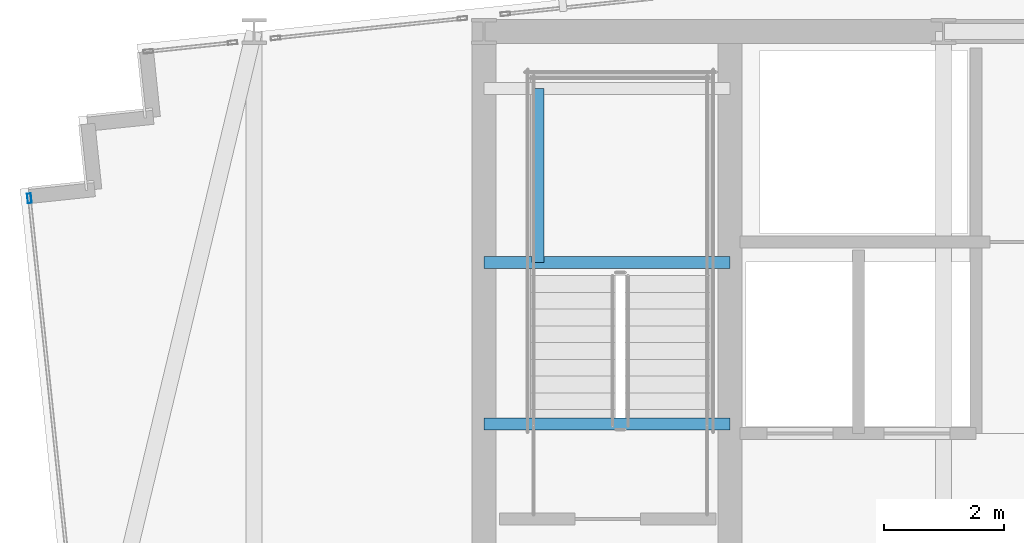
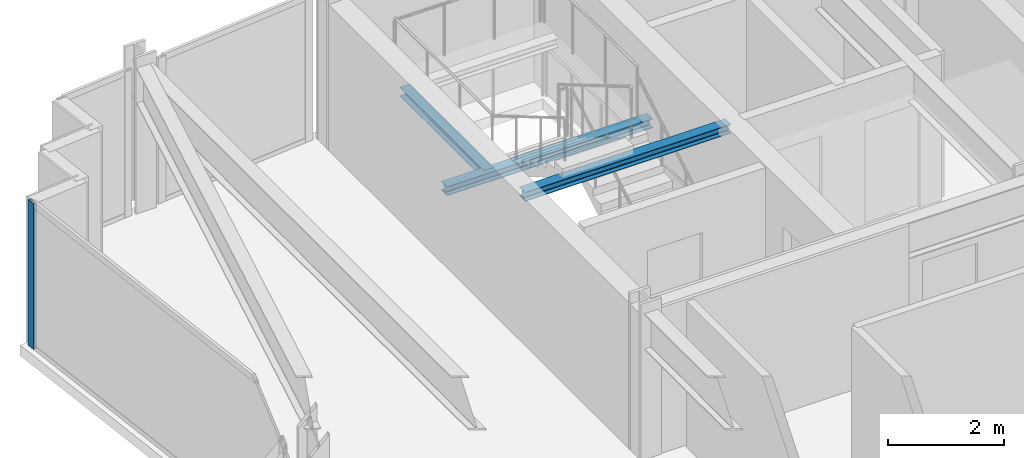
# One storey, part 12 of 32: 3 beams, 1 member, 1 element without a shape of its own.
"""IFC4 building model written with IfcOpenShell, lengths in metres."""

from ifc_helpers import new_model, si_unit, direction, frame, origin, origin_2d, place, context, subcontext, project, spatial, hollow_rectangle, i_section, extrude, material, material_profile, profile_set, type_object, element, aggregate, save


model = new_model("IFC4")

# Units and contexts
model_context = context("Model", 3, precision=1e-05, world=origin(), true_north=direction((0.0, 1.0)))
body_context = subcontext(model_context, "Body", "Model", "MODEL_VIEW")
ifc_project = project(units=[si_unit("LENGTHUNIT", "METRE"), si_unit("AREAUNIT", "SQUARE_METRE"), si_unit("VOLUMEUNIT", "CUBIC_METRE"), si_unit("PLANEANGLEUNIT", "RADIAN"), si_unit("MASSUNIT", "GRAM", prefix="KILO")], contexts=[model_context])

# Site, building, storey
site_placement = place(None, origin())
site = spatial("IfcSite", under=ifc_project, at=site_placement, CompositionType="ELEMENT")
building_placement = place(site_placement, origin())
building = spatial("IfcBuilding", under=site, at=building_placement, Name="Yelkora Congress Tower", CompositionType="ELEMENT")
storey_placement = place(building_placement, frame((0.0, 0.0, 211.10009765625)))
storey = spatial("IfcBuildingStorey", under=building, at=storey_placement, Name="L58", CompositionType="ELEMENT", Elevation=211.10009765625)

# Beams
ifc_material_1 = material(Name="Steel S355J2", Category="steel")
ifc_material_profile_1 = material_profile(ifc_material_1, i_section(OverallWidth=0.199951171875, OverallDepth=0.18994140625, WebThickness=0.006591796875, FlangeThickness=0.010009765625, FilletRadius=0.01806640625, at=origin_2d()), Name="HEA 200")
ifc_profile_set_1 = profile_set([ifc_material_profile_1], Name="Steel S355J2")
beam_type = type_object("IfcBeamType", Name="BM-LAND-HEA200", PredefinedType="BEAM", material=ifc_profile_set_1)
beam_1_placement = place(storey_placement, frame((23.0400390625, 42.340087890625, 1.33447265625), z_axis=(1.0, 0.0, 0.0), x_axis=(0.0, 1.0, 0.0)))
element("IfcBeam", 1, at=beam_1_placement, inside=storey, type_object=beam_type, Name="ST-01 L58 Landing Header Beam 1S", PredefinedType="BEAM", context=body_context, shape_type="SweptSolid", body=[
    extrude(i_section(OverallWidth=0.199951171875, OverallDepth=0.18994140625, WebThickness=0.006591796875, FlangeThickness=0.010009765625, FilletRadius=0.01806640625, at=origin_2d()), origin(), (0.0, 0.0, 1.0), 4.10986328125),
])
beam_2_placement = place(storey_placement, frame((23.93994140625, 42.340087890625, 1.33447265625), z_axis=(0.0, 1.0, 0.0), x_axis=(-1.0, 0.0, 0.0)))
element("IfcBeam", 2, at=beam_2_placement, inside=storey, type_object=beam_type, Name="ST-01 L58 Landing Trimmer Beam 1M", PredefinedType="BEAM", context=body_context, shape_type="SweptSolid", body=[
    extrude(i_section(OverallWidth=0.199951171875, OverallDepth=0.18994140625, WebThickness=0.006591796875, FlangeThickness=0.010009765625, FilletRadius=0.01806640625, at=origin_2d()), origin(), (0.0, 0.0, 1.0), 2.909912109375),
])
beam_3_placement = place(storey_placement, frame((23.0400390625, 39.639892578125, 2.853759765625), z_axis=(1.0, 0.0, 0.0), x_axis=(0.0, 1.0, 0.0)))
element("IfcBeam", 3, at=beam_3_placement, inside=storey, type_object=beam_type, Name="ST-01 L58 Floor Arrival Stringer Header Beam", PredefinedType="BEAM", context=body_context, shape_type="SweptSolid", body=[
    extrude(i_section(OverallWidth=0.199951171875, OverallDepth=0.18994140625, WebThickness=0.006591796875, FlangeThickness=0.010009765625, FilletRadius=0.01806640625, at=origin_2d()), origin(), (0.0, 0.0, 1.0), 4.10986328125),
])

# Curtain wall, member
ifc_material_2 = material(Name="Anodised aluminium and insulated glass", Category="aluminium")
curtain_wall_type = type_object("IfcCurtainWallType", Name="CW-SYS-B4", PredefinedType="NOTDEFINED", material=ifc_material_2)
curtain_wall_placement = place(storey_placement, origin())
curtain_wall = element("IfcCurtainWall", 4, at=curtain_wall_placement, inside=storey, type_object=curtain_wall_type, Name="L58 Unitised Curtain Wall 5", PredefinedType="NOTDEFINED")
ifc_material_3 = material(Name="Anodised aluminium 6063-T6", Category="aluminium")
ifc_material_profile_2 = material_profile(ifc_material_3, hollow_rectangle(XDim=0.06494140625, YDim=0.159912109375, WallThickness=0.00390625, at=origin_2d()), Name="ALU 65x160x4")
ifc_profile_set_2 = profile_set([ifc_material_profile_2], Name="Anodised aluminium 6063-T6")
member_type = type_object("IfcMemberType", Name="MEM-ML-B4", PredefinedType="MULLION", material=ifc_profile_set_2)
member_placement = place(storey_placement, frame((15.444580078125, 43.412353515625, 0.0), z_axis=(0.0, 0.0, 1.0), x_axis=(-0.994522145958, -0.104526079034, 0.0)))
member = element("IfcMember", 5, at=member_placement, type_object=member_type, Name="CW-B4 mullion 5", PredefinedType="MULLION", context=body_context, shape_type="SweptSolid", body=[
    extrude(hollow_rectangle(XDim=0.06494140625, YDim=0.159912109375, WallThickness=0.00390625, at=origin_2d()), origin(), (0.0, 0.0, 1.0), 3.079833984375),
])
aggregate(curtain_wall, [member])

save(model, "model.ifc")
